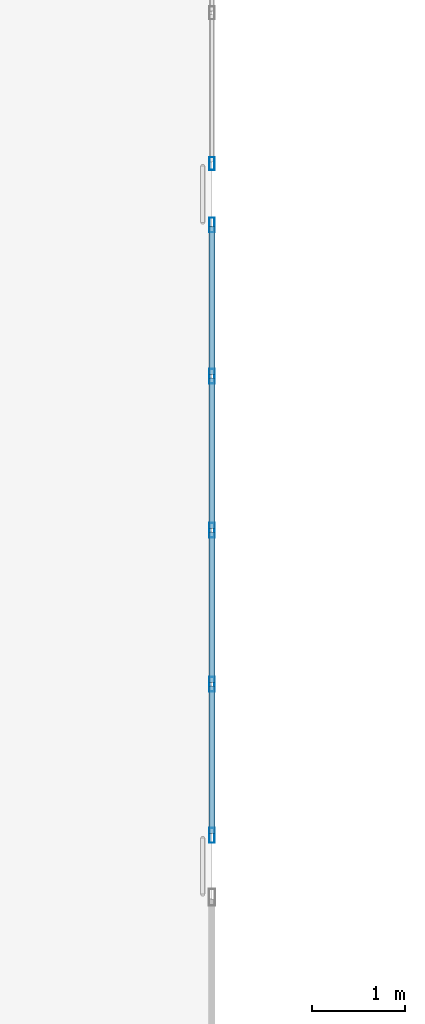
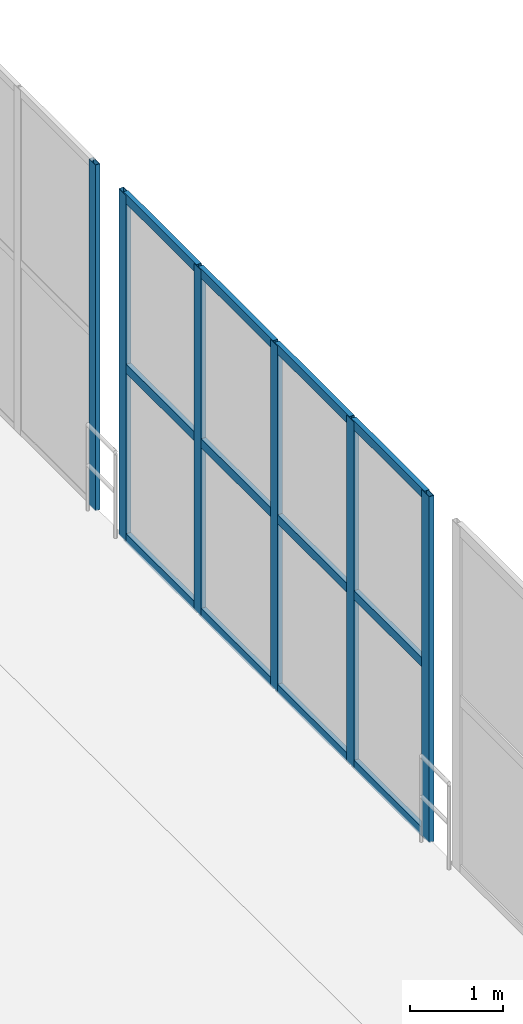
# One storey, part 48 of 105: 18 members, 2 elements without a shape of their own.
"""IFC4 building model written with IfcOpenShell, lengths in metres."""

from ifc_helpers import new_model, si_unit, direction, frame, origin, origin_2d, place, context, subcontext, project, spatial, hollow_rectangle, extrude, material, material_profile, profile_set, type_object, element, aggregate, save


model = new_model("IFC4")

# Units and contexts
model_context = context("Model", 3, precision=1e-05, world=origin(), true_north=direction((0.0, 1.0)))
body_context = subcontext(model_context, "Body", "Model", "MODEL_VIEW")
ifc_project = project(units=[si_unit("LENGTHUNIT", "METRE"), si_unit("AREAUNIT", "SQUARE_METRE"), si_unit("VOLUMEUNIT", "CUBIC_METRE"), si_unit("PLANEANGLEUNIT", "RADIAN"), si_unit("MASSUNIT", "GRAM", prefix="KILO")], contexts=[model_context])

# Site, building, storey
site_placement = place(None, origin())
site = spatial("IfcSite", under=ifc_project, at=site_placement, CompositionType="ELEMENT")
building_placement = place(site_placement, origin())
building = spatial("IfcBuilding", under=site, at=building_placement, Name="Qandorah Velis Arena", CompositionType="ELEMENT")
storey_placement = place(building_placement, frame((0.0, 0.0, 13.800048828125)))
storey = spatial("IfcBuildingStorey", under=building, at=storey_placement, Name="L03", CompositionType="ELEMENT", Elevation=13.800048828125)

# Curtain wall, member
ifc_material_1 = material(Name="Solar-control low-E double glazing", Category="glass")
curtain_wall_type_1 = type_object("IfcCurtainWallType", Name="ARC-CW-SYS20", PredefinedType="USERDEFINED", material=ifc_material_1)
curtain_wall_1_placement = place(storey_placement, origin())
curtain_wall_1 = element("IfcCurtainWall", 1, at=curtain_wall_1_placement, inside=storey, type_object=curtain_wall_type_1, Name="Unitised curtain wall L03-116", ObjectType="UNITISED CURTAIN WALL", PredefinedType="USERDEFINED")
ifc_material_2 = material(Name="Champagne-bronze anodized aluminium 6063-T6", Category="aluminium")
ifc_material_profile_1 = material_profile(ifc_material_2, hollow_rectangle(XDim=0.054931640625, YDim=0.139892578125, WallThickness=0.0029296875, at=origin_2d()), Name="ALU MULLION 55x140")
ifc_profile_set_1 = profile_set([ifc_material_profile_1], Name="Champagne-bronze anodized aluminium 6063-T6")
member_type_1 = type_object("IfcMemberType", Name="ARC-CWM-140", PredefinedType="MULLION", material=ifc_profile_set_1)
member_1_placement = place(storey_placement, frame((122.39990234375, 79.527587890625, -0.01513671875), z_axis=(0.0, 0.0, 1.0), x_axis=(-1.0, 0.0, 0.0)))
member_1 = element("IfcMember", 2, at=member_1_placement, type_object=member_type_1, Name="CW20 mullion 1", PredefinedType="MULLION", context=body_context, shape_type="SweptSolid", body=[
    extrude(hollow_rectangle(XDim=0.054931640625, YDim=0.139892578125, WallThickness=0.0029296875, at=origin_2d()), origin(), (0.0, 0.0, 1.0), 4.56005859375),
])
aggregate(curtain_wall_1, [member_1])

# Curtain wall, members
curtain_wall_type_2 = type_object("IfcCurtainWallType", Name="ARC-CW-SYS19", PredefinedType="USERDEFINED", material=ifc_material_1)
curtain_wall_2_placement = place(storey_placement, origin())
curtain_wall_2 = element("IfcCurtainWall", 3, at=curtain_wall_2_placement, inside=storey, type_object=curtain_wall_type_2, Name="Unitised curtain wall L03-115", ObjectType="UNITISED CURTAIN WALL", PredefinedType="USERDEFINED")
ifc_material_profile_2 = material_profile(ifc_material_2, hollow_rectangle(XDim=0.06005859375, YDim=0.159912109375, WallThickness=0.00341796875, at=origin_2d()), Name="ALU MULLION 60x160")
ifc_profile_set_2 = profile_set([ifc_material_profile_2], Name="Champagne-bronze anodized aluminium 6063-T6")
member_type_2 = type_object("IfcMemberType", Name="ARC-CWM-160", PredefinedType="MULLION", material=ifc_profile_set_2)
member_2_placement = place(storey_placement, frame((122.39990234375, 72.330078125, -0.01513671875), z_axis=(0.0, 0.0, 1.0), x_axis=(-1.0, 0.0, 0.0)))
member_2 = element("IfcMember", 4, at=member_2_placement, type_object=member_type_2, Name="CW19 mullion 1", PredefinedType="MULLION", context=body_context, shape_type="SweptSolid", body=[
    extrude(hollow_rectangle(XDim=0.06005859375, YDim=0.159912109375, WallThickness=0.00341796875, at=origin_2d()), origin(), (0.0, 0.0, 1.0), 4.56005859375),
])
member_3_placement = place(storey_placement, frame((122.39990234375, 73.949951171875, -0.01513671875), z_axis=(0.0, 0.0, 1.0), x_axis=(-1.0, 0.0, 0.0)))
member_3 = element("IfcMember", 5, at=member_3_placement, type_object=member_type_2, Name="CW19 mullion 2", PredefinedType="MULLION", context=body_context, shape_type="SweptSolid", body=[
    extrude(hollow_rectangle(XDim=0.06005859375, YDim=0.159912109375, WallThickness=0.00341796875, at=origin_2d()), origin(), (0.0, 0.0, 1.0), 4.56005859375),
])
member_4_placement = place(storey_placement, frame((122.39990234375, 75.60009765625, -0.01513671875), z_axis=(0.0, 0.0, 1.0), x_axis=(-1.0, 0.0, 0.0)))
member_4 = element("IfcMember", 6, at=member_4_placement, type_object=member_type_2, Name="CW19 mullion 3", PredefinedType="MULLION", context=body_context, shape_type="SweptSolid", body=[
    extrude(hollow_rectangle(XDim=0.06005859375, YDim=0.159912109375, WallThickness=0.00341796875, at=origin_2d()), origin(), (0.0, 0.0, 1.0), 4.56005859375),
])
member_5_placement = place(storey_placement, frame((122.39990234375, 77.25, -0.01513671875), z_axis=(0.0, 0.0, 1.0), x_axis=(-1.0, 0.0, 0.0)))
member_5 = element("IfcMember", 7, at=member_5_placement, type_object=member_type_2, Name="CW19 mullion 4", PredefinedType="MULLION", context=body_context, shape_type="SweptSolid", body=[
    extrude(hollow_rectangle(XDim=0.06005859375, YDim=0.159912109375, WallThickness=0.00341796875, at=origin_2d()), origin(), (0.0, 0.0, 1.0), 4.56005859375),
])
member_6_placement = place(storey_placement, frame((122.39990234375, 78.8701171875, -0.01513671875), z_axis=(0.0, 0.0, 1.0), x_axis=(-1.0, 0.0, 0.0)))
member_6 = element("IfcMember", 8, at=member_6_placement, type_object=member_type_2, Name="CW19 mullion 5", PredefinedType="MULLION", context=body_context, shape_type="SweptSolid", body=[
    extrude(hollow_rectangle(XDim=0.06005859375, YDim=0.159912109375, WallThickness=0.00341796875, at=origin_2d()), origin(), (0.0, 0.0, 1.0), 4.56005859375),
])
ifc_material_profile_3 = material_profile(ifc_material_2, hollow_rectangle(XDim=0.06005859375, YDim=0.1201171875, WallThickness=0.0029296875, at=origin_2d()), Name="ALU TRANSOM 60x120")
ifc_profile_set_3 = profile_set([ifc_material_profile_3], Name="Champagne-bronze anodized aluminium 6063-T6")
member_type_3 = type_object("IfcMemberType", Name="ARC-CWT-120", PredefinedType="USERDEFINED", material=ifc_profile_set_3)
member_7_placement = place(storey_placement, frame((122.39990234375, 72.347900390625, 0.030029296875), z_axis=(0.0, 1.0, 0.0), x_axis=(-1.0, 0.0, 0.0)))
member_7 = element("IfcMember", 9, at=member_7_placement, type_object=member_type_3, Name="CW19 transom 1.1", ObjectType="TRANSOM", PredefinedType="USERDEFINED", context=body_context, shape_type="SweptSolid", body=[
    extrude(hollow_rectangle(XDim=0.06005859375, YDim=0.1201171875, WallThickness=0.0029296875, at=origin_2d()), origin(), (0.0, 0.0, 1.0), 1.583984375),
])
member_8_placement = place(storey_placement, frame((122.39990234375, 72.347900390625, 2.264892578125), z_axis=(0.0, 1.0, 0.0), x_axis=(-1.0, 0.0, 0.0)))
member_8 = element("IfcMember", 10, at=member_8_placement, type_object=member_type_3, Name="CW19 transom 1.2", ObjectType="TRANSOM", PredefinedType="USERDEFINED", context=body_context, shape_type="SweptSolid", body=[
    extrude(hollow_rectangle(XDim=0.06005859375, YDim=0.1201171875, WallThickness=0.0029296875, at=origin_2d()), origin(), (0.0, 0.0, 1.0), 1.583984375),
])
member_9_placement = place(storey_placement, frame((122.39990234375, 72.347900390625, 4.5), z_axis=(0.0, 1.0, 0.0), x_axis=(-1.0, 0.0, 0.0)))
member_9 = element("IfcMember", 11, at=member_9_placement, type_object=member_type_3, Name="CW19 transom 1.3", ObjectType="TRANSOM", PredefinedType="USERDEFINED", context=body_context, shape_type="SweptSolid", body=[
    extrude(hollow_rectangle(XDim=0.06005859375, YDim=0.1201171875, WallThickness=0.0029296875, at=origin_2d()), origin(), (0.0, 0.0, 1.0), 1.583984375),
])
member_10_placement = place(storey_placement, frame((122.39990234375, 73.968017578125, 0.030029296875), z_axis=(0.0, 1.0, 0.0), x_axis=(-1.0, 0.0, 0.0)))
member_10 = element("IfcMember", 12, at=member_10_placement, type_object=member_type_3, Name="CW19 transom 2.1", ObjectType="TRANSOM", PredefinedType="USERDEFINED", context=body_context, shape_type="SweptSolid", body=[
    extrude(hollow_rectangle(XDim=0.06005859375, YDim=0.1201171875, WallThickness=0.0029296875, at=origin_2d()), origin(), (0.0, 0.0, 1.0), 1.614013671875),
])
member_11_placement = place(storey_placement, frame((122.39990234375, 73.968017578125, 2.264892578125), z_axis=(0.0, 1.0, 0.0), x_axis=(-1.0, 0.0, 0.0)))
member_11 = element("IfcMember", 13, at=member_11_placement, type_object=member_type_3, Name="CW19 transom 2.2", ObjectType="TRANSOM", PredefinedType="USERDEFINED", context=body_context, shape_type="SweptSolid", body=[
    extrude(hollow_rectangle(XDim=0.06005859375, YDim=0.1201171875, WallThickness=0.0029296875, at=origin_2d()), origin(), (0.0, 0.0, 1.0), 1.614013671875),
])
member_12_placement = place(storey_placement, frame((122.39990234375, 73.968017578125, 4.5), z_axis=(0.0, 1.0, 0.0), x_axis=(-1.0, 0.0, 0.0)))
member_12 = element("IfcMember", 14, at=member_12_placement, type_object=member_type_3, Name="CW19 transom 2.3", ObjectType="TRANSOM", PredefinedType="USERDEFINED", context=body_context, shape_type="SweptSolid", body=[
    extrude(hollow_rectangle(XDim=0.06005859375, YDim=0.1201171875, WallThickness=0.0029296875, at=origin_2d()), origin(), (0.0, 0.0, 1.0), 1.614013671875),
])
member_13_placement = place(storey_placement, frame((122.39990234375, 75.617919921875, 0.030029296875), z_axis=(0.0, 1.0, 0.0), x_axis=(-1.0, 0.0, 0.0)))
member_13 = element("IfcMember", 15, at=member_13_placement, type_object=member_type_3, Name="CW19 transom 3.1", ObjectType="TRANSOM", PredefinedType="USERDEFINED", context=body_context, shape_type="SweptSolid", body=[
    extrude(hollow_rectangle(XDim=0.06005859375, YDim=0.1201171875, WallThickness=0.0029296875, at=origin_2d()), origin(), (0.0, 0.0, 1.0), 1.614013671875),
])
member_14_placement = place(storey_placement, frame((122.39990234375, 75.617919921875, 2.264892578125), z_axis=(0.0, 1.0, 0.0), x_axis=(-1.0, 0.0, 0.0)))
member_14 = element("IfcMember", 16, at=member_14_placement, type_object=member_type_3, Name="CW19 transom 3.2", ObjectType="TRANSOM", PredefinedType="USERDEFINED", context=body_context, shape_type="SweptSolid", body=[
    extrude(hollow_rectangle(XDim=0.06005859375, YDim=0.1201171875, WallThickness=0.0029296875, at=origin_2d()), origin(), (0.0, 0.0, 1.0), 1.614013671875),
])
member_15_placement = place(storey_placement, frame((122.39990234375, 75.617919921875, 4.5), z_axis=(0.0, 1.0, 0.0), x_axis=(-1.0, 0.0, 0.0)))
member_15 = element("IfcMember", 17, at=member_15_placement, type_object=member_type_3, Name="CW19 transom 3.3", ObjectType="TRANSOM", PredefinedType="USERDEFINED", context=body_context, shape_type="SweptSolid", body=[
    extrude(hollow_rectangle(XDim=0.06005859375, YDim=0.1201171875, WallThickness=0.0029296875, at=origin_2d()), origin(), (0.0, 0.0, 1.0), 1.614013671875),
])
member_16_placement = place(storey_placement, frame((122.39990234375, 77.26806640625, 0.030029296875), z_axis=(0.0, 1.0, 0.0), x_axis=(-1.0, 0.0, 0.0)))
member_16 = element("IfcMember", 18, at=member_16_placement, type_object=member_type_3, Name="CW19 transom 4.1", ObjectType="TRANSOM", PredefinedType="USERDEFINED", context=body_context, shape_type="SweptSolid", body=[
    extrude(hollow_rectangle(XDim=0.06005859375, YDim=0.1201171875, WallThickness=0.0029296875, at=origin_2d()), origin(), (0.0, 0.0, 1.0), 1.583984375),
])
member_17_placement = place(storey_placement, frame((122.39990234375, 77.26806640625, 2.264892578125), z_axis=(0.0, 1.0, 0.0), x_axis=(-1.0, 0.0, 0.0)))
member_17 = element("IfcMember", 19, at=member_17_placement, type_object=member_type_3, Name="CW19 transom 4.2", ObjectType="TRANSOM", PredefinedType="USERDEFINED", context=body_context, shape_type="SweptSolid", body=[
    extrude(hollow_rectangle(XDim=0.06005859375, YDim=0.1201171875, WallThickness=0.0029296875, at=origin_2d()), origin(), (0.0, 0.0, 1.0), 1.583984375),
])
member_18_placement = place(storey_placement, frame((122.39990234375, 77.26806640625, 4.5), z_axis=(0.0, 1.0, 0.0), x_axis=(-1.0, 0.0, 0.0)))
member_18 = element("IfcMember", 20, at=member_18_placement, type_object=member_type_3, Name="CW19 transom 4.3", ObjectType="TRANSOM", PredefinedType="USERDEFINED", context=body_context, shape_type="SweptSolid", body=[
    extrude(hollow_rectangle(XDim=0.06005859375, YDim=0.1201171875, WallThickness=0.0029296875, at=origin_2d()), origin(), (0.0, 0.0, 1.0), 1.583984375),
])
aggregate(curtain_wall_2, [member_2, member_3, member_4, member_5, member_6, member_7, member_8, member_9, member_10, member_11, member_12, member_13, member_14, member_15, member_16, member_17, member_18])

save(model, "model.ifc")
